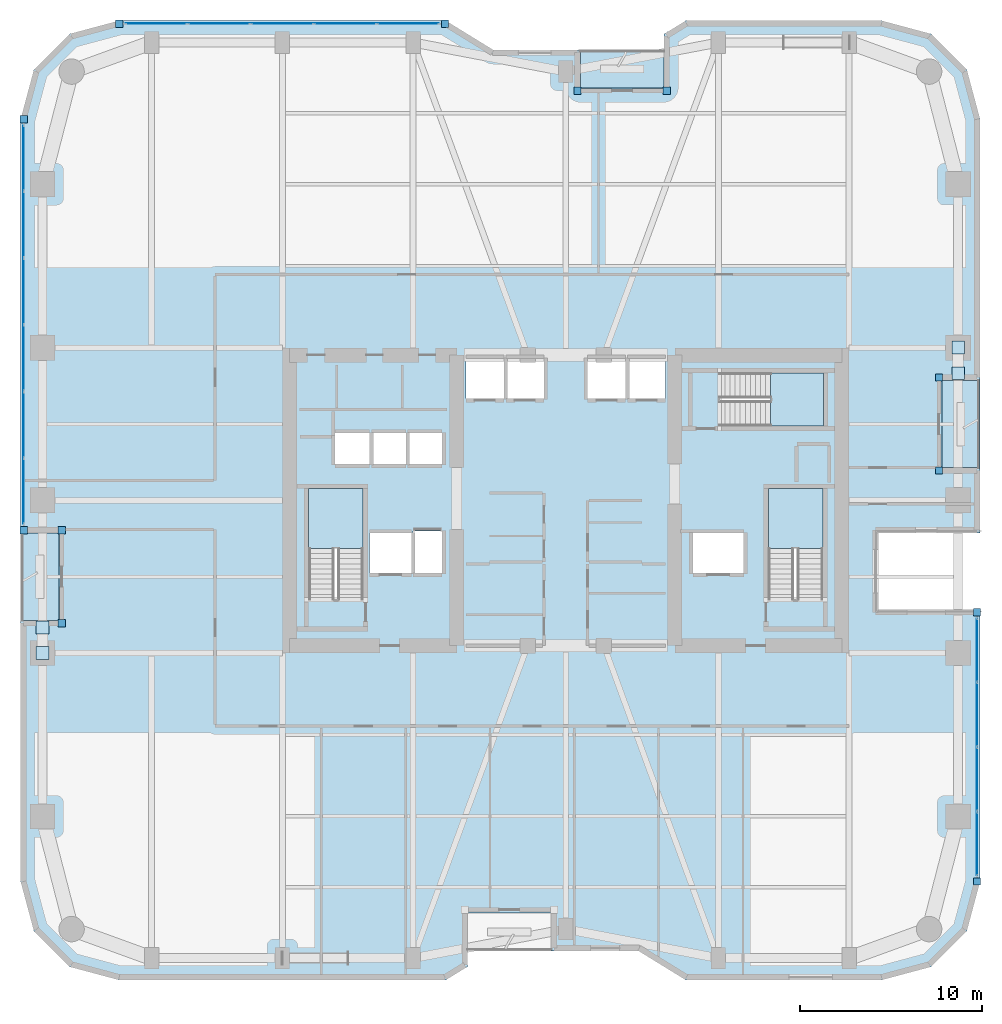
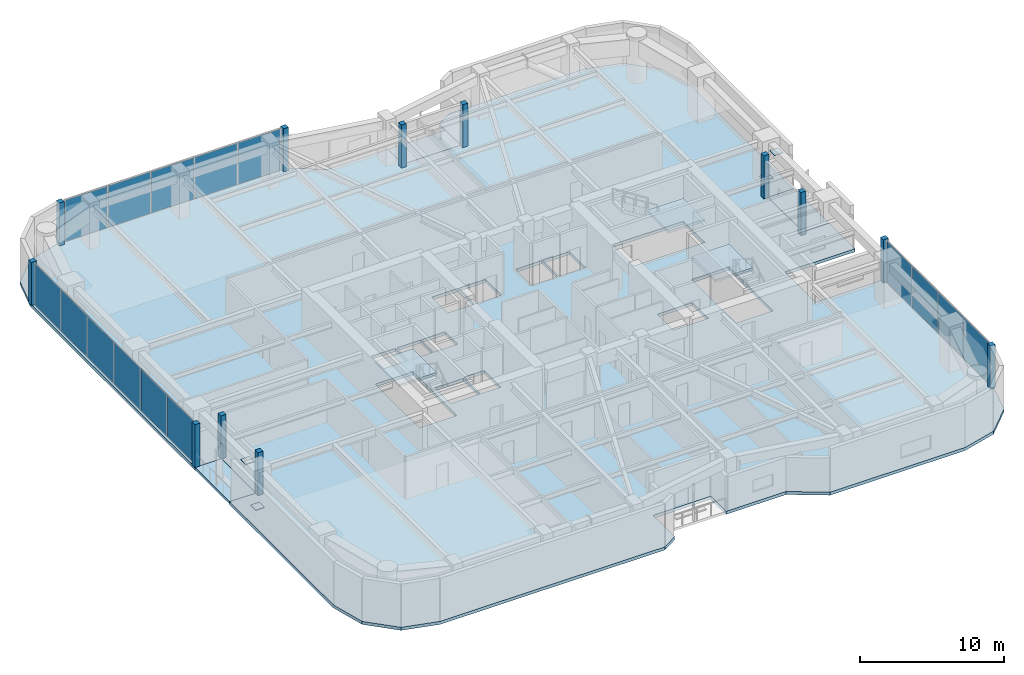
# One storey, part 16 of 24: 31 plates, 7 slabs, 6 elements without a shape of their own.
"""IFC4 building model written with IfcOpenShell, lengths in metres."""

from ifc_helpers import new_model, si_unit, direction, frame, origin, origin_2d, place, context, subcontext, project, spatial, polyline, rectangle, outline, extrude, material, layer, layer_set, type_object, element, aggregate, save


model = new_model("IFC4")

# Units and contexts
model_context = context("Model", 3, precision=1e-05, world=origin(), true_north=direction((0.0, 1.0)))
body_context = subcontext(model_context, "Body", "Model", "MODEL_VIEW")
ifc_project = project(units=[si_unit("LENGTHUNIT", "METRE"), si_unit("AREAUNIT", "SQUARE_METRE"), si_unit("VOLUMEUNIT", "CUBIC_METRE"), si_unit("PLANEANGLEUNIT", "RADIAN"), si_unit("MASSUNIT", "GRAM", prefix="KILO")], contexts=[model_context])

# Site, building, storey
site_placement = place(None, origin())
site = spatial("IfcSite", under=ifc_project, at=site_placement, CompositionType="ELEMENT")
building_placement = place(site_placement, origin())
building = spatial("IfcBuilding", under=site, at=building_placement, Name="Kiyonajd Concourse Tower", CompositionType="ELEMENT")
storey_placement = place(building_placement, frame((0.0, 0.0, 129.89990234375)))
storey = spatial("IfcBuildingStorey", under=building, at=storey_placement, Name="L33", CompositionType="ELEMENT", Elevation=129.89990234375)

# Plates
ifc_material_1 = material(Name="Steel ASTM A572 Grade 50", Category="steel")
ifc_layer_1 = layer(ifc_material_1, 0.028076171875)
ifc_layer_set_1 = layer_set([ifc_layer_1], Name="Steel ASTM A572 Grade 50")
plate_type_1 = type_object("IfcPlateType", Name="PL-CAP-450", PredefinedType="USERDEFINED", material=ifc_layer_set_1)
for number, where, z_axis, x_axis, name in (
    (1, (19.199951171875, 27.59521484375, 0.27587890625), (0.0, 0.0, 1.0), (1.0, 0.0, 0.0), "L33 Hollow Brace End Cap Plate PBW"),
    (2, (19.199951171875, 29.004638671875, 3.2861328125), (0.0, 0.0, 1.0), (1.0, 0.0, 0.0), "L33 Hollow Brace Top Cap Plate PBW"),
    (3, (69.60009765625, 44.40478515625, 0.27587890625), (0.0, 0.0, 1.0), (1.0, 0.0, 0.0), "L33 Hollow Brace End Cap Plate PBE"),
    (4, (69.60009765625, 42.995361328125, 3.2861328125), (0.0, 0.0, 1.0), (1.0, 0.0, 0.0), "L33 Hollow Brace Top Cap Plate PBE"),
):
    element("IfcPlate", number, at=place(storey_placement, frame(where, z_axis=z_axis, x_axis=x_axis)), inside=storey, type_object=plate_type_1, Name=name, ObjectType="CAP PLATE", PredefinedType="USERDEFINED", context=body_context, shape_type="SweptSolid", body=[
        extrude(rectangle(XDim=0.7099609375, YDim=0.7099609375, at=origin_2d()), origin(), (0.0, 0.0, 1.0), 0.028076171875),
    ])

# Curtain wall, plates
ifc_material_2 = material(Name="Thermally Broken Anodised Aluminium", Category="aluminium")
ifc_layer_2 = layer(ifc_material_2, 0.179931640625)
ifc_layer_set_2 = layer_set([ifc_layer_2], Name="Thermally Broken Anodised Aluminium")
curtain_wall_type = type_object("IfcCurtainWallType", Name="CW-SYS-03", PredefinedType="NOTDEFINED", material=ifc_layer_set_2)
curtain_wall_1_placement = place(storey_placement, origin())
curtain_wall_1 = element("IfcCurtainWall", 5, at=curtain_wall_1_placement, inside=storey, type_object=curtain_wall_type, Name="L33 Unitised Curtain Wall CW3", PredefinedType="NOTDEFINED")
ifc_material_3 = material(Name="Double Low-E Insulated Glass", Category="glass")
ifc_layer_3 = layer(ifc_material_3, 0.033935546875)
ifc_layer_set_3 = layer_set([ifc_layer_3], Name="Double Low-E Insulated Glass")
plate_type_2 = type_object("IfcPlateType", Name="PL-CW-VIS34", PredefinedType="CURTAIN_PANEL", material=ifc_layer_set_3)
plate_1_placement = place(storey_placement, frame((18.159912109375, 36.5029296875, 0.06494140625), z_axis=(0.0, 0.0, 1.0), x_axis=(0.0, 1.0, 0.0)))
plate_1 = element("IfcPlate", 6, at=plate_1_placement, type_object=plate_type_2, Name="CW3 panel 1.1", PredefinedType="CURTAIN_PANEL", context=body_context, shape_type="SweptSolid", body=[
    extrude(rectangle(XDim=3.57568359375, YDim=0.033935546875, at=origin_2d()), origin(), (0.0, 0.0, 1.0), 3.510009765625),
])
plate_2_placement = place(storey_placement, frame((18.159912109375, 40.15966796875, 0.06494140625), z_axis=(0.0, 0.0, 1.0), x_axis=(0.0, 1.0, 0.0)))
plate_2 = element("IfcPlate", 7, at=plate_2_placement, type_object=plate_type_2, Name="CW3 panel 2.1", PredefinedType="CURTAIN_PANEL", context=body_context, shape_type="SweptSolid", body=[
    extrude(rectangle(XDim=3.608154296875, YDim=0.033935546875, at=origin_2d()), origin(), (0.0, 0.0, 1.0), 3.510009765625),
])
plate_3_placement = place(storey_placement, frame((18.159912109375, 43.832763671875, 0.06494140625), z_axis=(0.0, 0.0, 1.0), x_axis=(0.0, 1.0, 0.0)))
plate_3 = element("IfcPlate", 8, at=plate_3_placement, type_object=plate_type_2, Name="CW3 panel 3.1", PredefinedType="CURTAIN_PANEL", context=body_context, shape_type="SweptSolid", body=[
    extrude(rectangle(XDim=3.608154296875, YDim=0.033935546875, at=origin_2d()), origin(), (0.0, 0.0, 1.0), 3.510009765625),
])
plate_4_placement = place(storey_placement, frame((18.159912109375, 47.506103515625, 0.06494140625), z_axis=(0.0, 0.0, 1.0), x_axis=(0.0, 1.0, 0.0)))
plate_4 = element("IfcPlate", 9, at=plate_4_placement, type_object=plate_type_2, Name="CW3 panel 4.1", PredefinedType="CURTAIN_PANEL", context=body_context, shape_type="SweptSolid", body=[
    extrude(rectangle(XDim=3.608154296875, YDim=0.033935546875, at=origin_2d()), origin(), (0.0, 0.0, 1.0), 3.510009765625),
])
plate_5_placement = place(storey_placement, frame((18.159912109375, 51.17919921875, 0.06494140625), z_axis=(0.0, 0.0, 1.0), x_axis=(0.0, 1.0, 0.0)))
plate_5 = element("IfcPlate", 10, at=plate_5_placement, type_object=plate_type_2, Name="CW3 panel 5.1", PredefinedType="CURTAIN_PANEL", context=body_context, shape_type="SweptSolid", body=[
    extrude(rectangle(XDim=3.608154296875, YDim=0.033935546875, at=origin_2d()), origin(), (0.0, 0.0, 1.0), 3.510009765625),
])
plate_6_placement = place(storey_placement, frame((18.159912109375, 54.836181640625, 0.06494140625), z_axis=(0.0, 0.0, 1.0), x_axis=(0.0, 1.0, 0.0)))
plate_6 = element("IfcPlate", 11, at=plate_6_placement, type_object=plate_type_2, Name="CW3 panel 6.1", PredefinedType="CURTAIN_PANEL", context=body_context, shape_type="SweptSolid", body=[
    extrude(rectangle(XDim=3.57568359375, YDim=0.033935546875, at=origin_2d()), origin(), (0.0, 0.0, 1.0), 3.510009765625),
])
aggregate(curtain_wall_1, [plate_1, plate_2, plate_3, plate_4, plate_5, plate_6])

curtain_wall_2_placement = place(storey_placement, origin())
curtain_wall_2 = element("IfcCurtainWall", 12, at=curtain_wall_2_placement, inside=storey, type_object=curtain_wall_type, Name="L33 Unitised Curtain Wall CW3", PredefinedType="NOTDEFINED")
plate_7_placement = place(storey_placement, frame((25.462646484375, 62.239990234375, 0.06494140625), z_axis=(0.0, 0.0, 1.0), x_axis=(1.0, 0.0, 0.0)))
plate_7 = element("IfcPlate", 13, at=plate_7_placement, type_object=plate_type_2, Name="CW3 panel 1.1", PredefinedType="CURTAIN_PANEL", context=body_context, shape_type="SweptSolid", body=[
    extrude(rectangle(XDim=3.373291015625, YDim=0.033935546875, at=origin_2d()), origin(), (0.0, 0.0, 1.0), 3.510009765625),
])
plate_8_placement = place(storey_placement, frame((28.917236328125, 62.239990234375, 0.06494140625), z_axis=(0.0, 0.0, 1.0), x_axis=(1.0, 0.0, 0.0)))
plate_8 = element("IfcPlate", 14, at=plate_8_placement, type_object=plate_type_2, Name="CW3 panel 2.1", PredefinedType="CURTAIN_PANEL", context=body_context, shape_type="SweptSolid", body=[
    extrude(rectangle(XDim=3.40576171875, YDim=0.033935546875, at=origin_2d()), origin(), (0.0, 0.0, 1.0), 3.510009765625),
])
plate_9_placement = place(storey_placement, frame((32.387939453125, 62.239990234375, 0.06494140625), z_axis=(0.0, 0.0, 1.0), x_axis=(1.0, 0.0, 0.0)))
plate_9 = element("IfcPlate", 15, at=plate_9_placement, type_object=plate_type_2, Name="CW3 panel 3.1", PredefinedType="CURTAIN_PANEL", context=body_context, shape_type="SweptSolid", body=[
    extrude(rectangle(XDim=3.40576171875, YDim=0.033935546875, at=origin_2d()), origin(), (0.0, 0.0, 1.0), 3.510009765625),
])
plate_10_placement = place(storey_placement, frame((35.858642578125, 62.239990234375, 0.06494140625), z_axis=(0.0, 0.0, 1.0), x_axis=(1.0, 0.0, 0.0)))
plate_10 = element("IfcPlate", 16, at=plate_10_placement, type_object=plate_type_2, Name="CW3 panel 4.1", PredefinedType="CURTAIN_PANEL", context=body_context, shape_type="SweptSolid", body=[
    extrude(rectangle(XDim=3.40576171875, YDim=0.033935546875, at=origin_2d()), origin(), (0.0, 0.0, 1.0), 3.510009765625),
])
plate_11_placement = place(storey_placement, frame((39.31298828125, 62.239990234375, 0.06494140625), z_axis=(0.0, 0.0, 1.0), x_axis=(1.0, 0.0, 0.0)))
plate_11 = element("IfcPlate", 17, at=plate_11_placement, type_object=plate_type_2, Name="CW3 panel 5.1", PredefinedType="CURTAIN_PANEL", context=body_context, shape_type="SweptSolid", body=[
    extrude(rectangle(XDim=3.373291015625, YDim=0.033935546875, at=origin_2d()), origin(), (0.0, 0.0, 1.0), 3.510009765625),
])
aggregate(curtain_wall_2, [plate_7, plate_8, plate_9, plate_10, plate_11])

curtain_wall_3_placement = place(storey_placement, origin())
curtain_wall_3 = element("IfcCurtainWall", 18, at=curtain_wall_3_placement, inside=storey, type_object=curtain_wall_type, Name="L33 Unitised Curtain Wall CW3", PredefinedType="NOTDEFINED")
plate_12_placement = place(storey_placement, frame((70.639892578125, 27.75390625, 0.06494140625), z_axis=(0.0, 0.0, 1.0), x_axis=(0.0, -1.0, 0.0)))
plate_12 = element("IfcPlate", 19, at=plate_12_placement, type_object=plate_type_2, Name="CW3 panel 1.1", PredefinedType="CURTAIN_PANEL", context=body_context, shape_type="SweptSolid", body=[
    extrude(rectangle(XDim=3.462158203125, YDim=0.033935546875, at=origin_2d()), origin(), (0.0, 0.0, 1.0), 3.510009765625),
])
plate_13_placement = place(storey_placement, frame((70.639892578125, 24.21044921875, 0.06494140625), z_axis=(0.0, 0.0, 1.0), x_axis=(0.0, -1.0, 0.0)))
plate_13 = element("IfcPlate", 20, at=plate_13_placement, type_object=plate_type_2, Name="CW3 panel 2.1", PredefinedType="CURTAIN_PANEL", context=body_context, shape_type="SweptSolid", body=[
    extrude(rectangle(XDim=3.49462890625, YDim=0.033935546875, at=origin_2d()), origin(), (0.0, 0.0, 1.0), 3.510009765625),
])
plate_14_placement = place(storey_placement, frame((70.639892578125, 20.650634765625, 0.06494140625), z_axis=(0.0, 0.0, 1.0), x_axis=(0.0, -1.0, 0.0)))
plate_14 = element("IfcPlate", 21, at=plate_14_placement, type_object=plate_type_2, Name="CW3 panel 3.1", PredefinedType="CURTAIN_PANEL", context=body_context, shape_type="SweptSolid", body=[
    extrude(rectangle(XDim=3.49462890625, YDim=0.033935546875, at=origin_2d()), origin(), (0.0, 0.0, 1.0), 3.510009765625),
])
plate_15_placement = place(storey_placement, frame((70.639892578125, 17.107177734375, 0.06494140625), z_axis=(0.0, 0.0, 1.0), x_axis=(0.0, -1.0, 0.0)))
plate_15 = element("IfcPlate", 22, at=plate_15_placement, type_object=plate_type_2, Name="CW3 panel 4.1", PredefinedType="CURTAIN_PANEL", context=body_context, shape_type="SweptSolid", body=[
    extrude(rectangle(XDim=3.462158203125, YDim=0.033935546875, at=origin_2d()), origin(), (0.0, 0.0, 1.0), 3.510009765625),
])
aggregate(curtain_wall_3, [plate_12, plate_13, plate_14, plate_15])

# Plates
ifc_layer_4 = layer(ifc_material_2, 0.39990234375)
ifc_layer_set_4 = layer_set([ifc_layer_4], Name="Thermally Broken Anodised Aluminium")
plate_type_3 = type_object("IfcPlateType", Name="PL-JMB-400", PredefinedType="USERDEFINED", material=ifc_layer_set_4)
for number, where, z_axis, x_axis, name in (
    (23, (20.260009765625, 29.239990234375, 0.0), (0.0, 0.0, 1.0), (1.0, 0.0, 0.0), "L33 Facade Jamb Closure Plate 01"),
    (24, (20.260009765625, 34.360107421875, 0.0), (0.0, 0.0, 1.0), (1.0, 0.0, 0.0), "L33 Facade Jamb Closure Plate 02"),
    (25, (18.159912109375, 34.360107421875, 0.0), (0.0, 0.0, 1.0), (1.0, 0.0, 0.0), "L33 Facade Jamb Closure Plate 03"),
    (26, (18.159912109375, 56.97900390625, 0.0), (0.0, 0.0, 1.0), (1.0, 0.0, 0.0), "L33 Facade Jamb Closure Plate 04"),
    (27, (23.421142578125, 62.239990234375, 0.0), (0.0, 0.0, 1.0), (1.0, 0.0, 0.0), "L33 Facade Jamb Closure Plate 05"),
    (28, (41.354736328125, 62.239990234375, 0.0), (0.0, 0.0, 1.0), (1.0, 0.0, 0.0), "L33 Facade Jamb Closure Plate 06"),
    (29, (48.639892578125, 58.5400390625, 0.0), (0.0, 0.0, 1.0), (1.0, 0.0, 0.0), "L33 Facade Jamb Closure Plate 07"),
    (30, (53.56005859375, 58.5400390625, 0.0), (0.0, 0.0, 1.0), (1.0, 0.0, 0.0), "L33 Facade Jamb Closure Plate 08"),
    (31, (68.5400390625, 42.760009765625, 0.0), (0.0, 0.0, 1.0), (1.0, 0.0, 0.0), "L33 Facade Jamb Closure Plate 09"),
    (32, (68.5400390625, 37.639892578125, 0.0), (0.0, 0.0, 1.0), (1.0, 0.0, 0.0), "L33 Facade Jamb Closure Plate 10"),
    (33, (70.639892578125, 29.840087890625, 0.0), (0.0, 0.0, 1.0), (1.0, 0.0, 0.0), "L33 Facade Jamb Closure Plate 11"),
    (34, (70.639892578125, 15.02099609375, 0.0), (0.0, 0.0, 1.0), (1.0, 0.0, 0.0), "L33 Facade Jamb Closure Plate 12"),
):
    element("IfcPlate", number, at=place(storey_placement, frame(where, z_axis=z_axis, x_axis=x_axis)), inside=storey, type_object=plate_type_3, Name=name, ObjectType="JAMB PLATE", PredefinedType="USERDEFINED", context=body_context, shape_type="SweptSolid", body=[
        extrude(rectangle(XDim=0.39990234375, YDim=0.39990234375, at=origin_2d()), origin(), (0.0, 0.0, 1.0), 3.639892578125),
    ])

# Stair, slab
ifc_material_4 = material(Name="Concrete C40/50", Category="concrete")
stair_type = type_object("IfcStairType", Name="ST-DLG-22R", PredefinedType="HALF_TURN_STAIR", material=ifc_material_4)
stair_1_placement = place(storey_placement, origin())
stair_1 = element("IfcStair", 35, at=stair_1_placement, inside=storey, type_object=stair_type, Name="L33 Protected Exit Stair ST1", PredefinedType="HALF_TURN_STAIR")
ifc_layer_5 = layer(ifc_material_4, 0.199951171875)
ifc_layer_set_5 = layer_set([ifc_layer_5], Name="Concrete C40/50")
slab_type_1 = type_object("IfcSlabType", Name="SL-LND-200", PredefinedType="LANDING", material=ifc_layer_set_5)
slab_1_placement = place(storey_placement, frame((0.0, 0.0, 1.75)))
slab_1 = element("IfcSlab", 36, at=slab_1_placement, type_object=slab_type_1, Name="ST1 landing 1", PredefinedType="LANDING", context=body_context, shape_type="SweptSolid", body=[
    extrude(outline(polyline([(36.85009765625, 33.35009765625), (36.85009765625, 36.64990234375), (33.85009765625, 36.64990234375), (33.85009765625, 33.35009765625), (36.85009765625, 33.35009765625)])), origin(), (0.0, 0.0, 1.0), 0.2001953125),
])
aggregate(stair_1, [slab_1])

stair_2_placement = place(storey_placement, origin())
stair_2 = element("IfcStair", 37, at=stair_2_placement, inside=storey, type_object=stair_type, Name="L33 Protected Exit Stair ST2", PredefinedType="HALF_TURN_STAIR")
slab_2_placement = place(storey_placement, frame((0.0, 0.0, 1.75)))
slab_2 = element("IfcSlab", 38, at=slab_2_placement, type_object=slab_type_1, Name="ST2 landing 1", PredefinedType="LANDING", context=body_context, shape_type="SweptSolid", body=[
    extrude(outline(polyline([(62.14990234375, 33.35009765625), (62.14990234375, 36.64990234375), (59.14990234375, 36.64990234375), (59.14990234375, 33.35009765625), (62.14990234375, 33.35009765625)])), origin(), (0.0, 0.0, 1.0), 0.2001953125),
])
aggregate(stair_2, [slab_2])

stair_3_placement = place(storey_placement, origin())
stair_3 = element("IfcStair", 39, at=stair_3_placement, inside=storey, type_object=stair_type, Name="L33 Protected Exit Stair ST3", PredefinedType="HALF_TURN_STAIR")
slab_3_placement = place(storey_placement, frame((0.0, 0.0, 1.75)))
slab_3 = element("IfcSlab", 40, at=slab_3_placement, type_object=slab_type_1, Name="ST3 landing 1", PredefinedType="LANDING", context=body_context, shape_type="SweptSolid", body=[
    extrude(outline(polyline([(59.280029296875, 40.080078125), (62.179931640625, 40.080078125), (62.179931640625, 43.02001953125), (59.280029296875, 43.02001953125), (59.280029296875, 40.080078125)])), origin(), (0.0, 0.0, 1.0), 0.2001953125),
])
aggregate(stair_3, [slab_3])

# Slabs
ifc_material_5 = material(Name="Precast concrete C50/60", Category="concrete")
ifc_layer_6 = layer(ifc_material_5, 0.199951171875)
ifc_layer_set_6 = layer_set([ifc_layer_6], Name="Precast concrete C50/60")
slab_type_2 = type_object("IfcSlabType", Name="SL-LOG-200", PredefinedType="FLOOR", material=ifc_layer_set_6)
slab_4_placement = place(storey_placement, frame((0.0, 0.0, -0.199951171875)))
element("IfcSlab", 41, at=slab_4_placement, inside=storey, type_object=slab_type_2, Name="L33 Recessed Engawa Loggia Terrace Slab LOG-N", PredefinedType="FLOOR", context=body_context, shape_type="SweptSolid", body=[
    extrude(outline(polyline([(48.800048828125, 58.699951171875), (53.39990234375, 58.699951171875), (53.39990234375, 60.800048828125), (48.800048828125, 60.800048828125), (48.800048828125, 58.699951171875)])), origin(), (0.0, 0.0, 1.0), 0.199951171875),
])
slab_5_placement = place(storey_placement, frame((0.0, 0.0, -0.199951171875)))
element("IfcSlab", 42, at=slab_5_placement, inside=storey, type_object=slab_type_2, Name="L33 Recessed Engawa Loggia Terrace Slab LOG-W", PredefinedType="FLOOR", context=body_context, shape_type="SweptSolid", body=[
    extrude(outline(polyline([(18.0, 29.39990234375), (20.10009765625, 29.39990234375), (20.10009765625, 34.199951171875), (18.0, 34.199951171875), (18.0, 29.39990234375)])), origin(), (0.0, 0.0, 1.0), 0.199951171875),
])
slab_6_placement = place(storey_placement, frame((0.0, 0.0, -0.199951171875)))
element("IfcSlab", 43, at=slab_6_placement, inside=storey, type_object=slab_type_2, Name="L33 Recessed Engawa Loggia Terrace Slab LOG-E", PredefinedType="FLOOR", context=body_context, shape_type="SweptSolid", body=[
    extrude(outline(polyline([(68.699951171875, 37.800048828125), (70.800048828125, 37.800048828125), (70.800048828125, 42.60009765625), (68.699951171875, 42.60009765625), (68.699951171875, 37.800048828125)])), origin(), (0.0, 0.0, 1.0), 0.199951171875),
])
ifc_layer_7 = layer(ifc_material_4, 0.260009765625)
ifc_layer_set_7 = layer_set([ifc_layer_7], Name="Concrete C40/50")
slab_type_3 = type_object("IfcSlabType", Name="SL-TWR-260", PredefinedType="FLOOR", material=ifc_layer_set_7)
slab_7_placement = place(storey_placement, frame((0.0, 0.0, -0.260009765625)))
element("IfcSlab", 44, at=slab_7_placement, inside=storey, type_object=slab_type_3, Name="L33 Tower Conditioned Floor Slab", PredefinedType="FLOOR", context=body_context, shape_type="SweptSolid", body=[
    extrude(outline(polyline([(18.0, 15.0), (18.0, 29.39990234375), (20.10009765625, 29.39990234375), (20.10009765625, 34.199951171875), (18.0, 34.199951171875), (18.0, 57.0), (18.722900390625, 59.699951171875), (20.699951171875, 61.677001953125), (23.39990234375, 62.39990234375), (41.39990234375, 62.39990234375), (44.0, 60.800048828125), (48.800048828125, 60.800048828125), (48.800048828125, 58.699951171875), (53.39990234375, 58.699951171875), (53.39990234375, 61.662109375), (54.60009765625, 62.39990234375), (65.39990234375, 62.39990234375), (68.10009765625, 61.677001953125), (70.076904296875, 59.699951171875), (70.800048828125, 57.0), (70.800048828125, 42.60009765625), (68.699951171875, 42.60009765625), (68.699951171875, 37.800048828125), (70.800048828125, 37.800048828125), (70.800048828125, 34.199951171875), (65.199951171875, 34.199951171875), (65.199951171875, 30.0), (70.800048828125, 30.0), (70.800048828125, 15.0), (70.076904296875, 12.300048828125), (68.10009765625, 10.322998046875), (65.39990234375, 9.60009765625), (54.60009765625, 9.60009765625), (52.0, 11.199951171875), (47.199951171875, 11.199951171875), (47.199951171875, 13.300048828125), (42.60009765625, 13.300048828125), (42.60009765625, 10.337890625), (41.39990234375, 9.60009765625), (23.39990234375, 9.60009765625), (20.699951171875, 10.322998046875), (18.722900390625, 12.300048828125), (18.0, 15.0)]), holes=[polyline([(39.5, 32.0), (37.199951171875, 32.0), (37.199951171875, 34.199951171875), (39.5, 34.199951171875), (39.5, 32.0)]), polyline([(39.60009765625, 32.0), (39.60009765625, 34.300048828125), (41.199951171875, 34.300048828125), (41.199951171875, 32.0), (39.60009765625, 32.0)]), polyline([(33.85009765625, 30.550048828125), (33.85009765625, 36.64990234375), (36.85009765625, 36.64990234375), (36.85009765625, 30.550048828125), (33.85009765625, 30.550048828125)]), polyline([(37.199951171875, 38.0), (35.300048828125, 38.0), (35.300048828125, 39.699951171875), (37.199951171875, 39.699951171875), (37.199951171875, 38.0)]), polyline([(37.300048828125, 38.0), (37.300048828125, 39.699951171875), (39.199951171875, 39.699951171875), (39.199951171875, 38.0), (37.300048828125, 38.0)]), polyline([(39.300048828125, 38.0), (39.300048828125, 39.699951171875), (41.199951171875, 39.699951171875), (41.199951171875, 38.0), (39.300048828125, 38.0)]), polyline([(44.60009765625, 41.60009765625), (42.5, 41.60009765625), (42.5, 43.800048828125), (44.60009765625, 43.800048828125), (44.60009765625, 41.60009765625)]), polyline([(55.0, 32.0), (55.0, 34.199951171875), (57.800048828125, 34.199951171875), (57.800048828125, 32.0), (55.0, 32.0)]), polyline([(59.14990234375, 30.550048828125), (59.14990234375, 36.64990234375), (62.14990234375, 36.64990234375), (62.14990234375, 30.550048828125), (59.14990234375, 30.550048828125)]), polyline([(56.47998046875, 43.02001953125), (62.179931640625, 43.02001953125), (62.179931640625, 40.080078125), (56.47998046875, 40.080078125), (56.47998046875, 43.02001953125)]), polyline([(44.699951171875, 41.60009765625), (44.699951171875, 43.800048828125), (46.800048828125, 43.800048828125), (46.800048828125, 41.60009765625), (44.699951171875, 41.60009765625)]), polyline([(49.199951171875, 41.60009765625), (49.199951171875, 43.800048828125), (51.300048828125, 43.800048828125), (51.300048828125, 41.60009765625), (49.199951171875, 41.60009765625)]), polyline([(51.39990234375, 41.60009765625), (51.39990234375, 43.800048828125), (53.5, 43.800048828125), (53.5, 41.60009765625), (51.39990234375, 41.60009765625)])]), origin(), (0.0, 0.0, 1.0), 0.260009765625),
])

save(model, "model.ifc")
